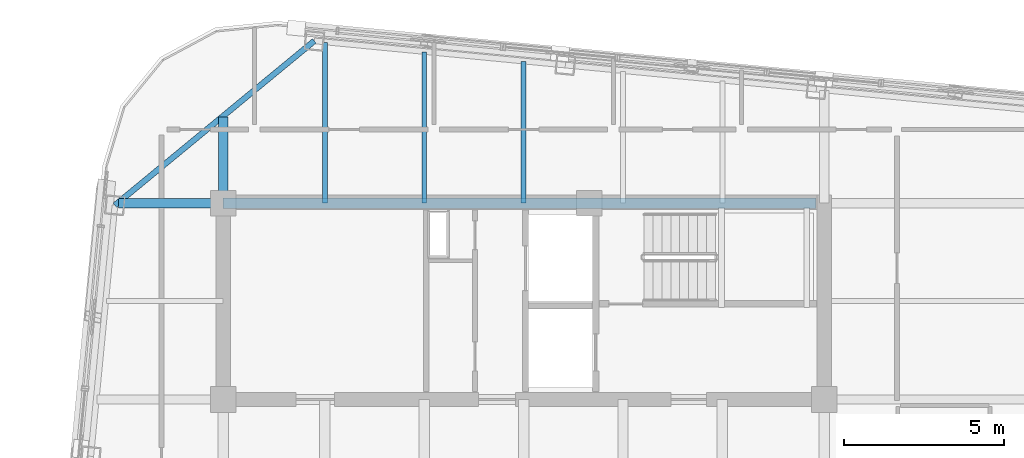
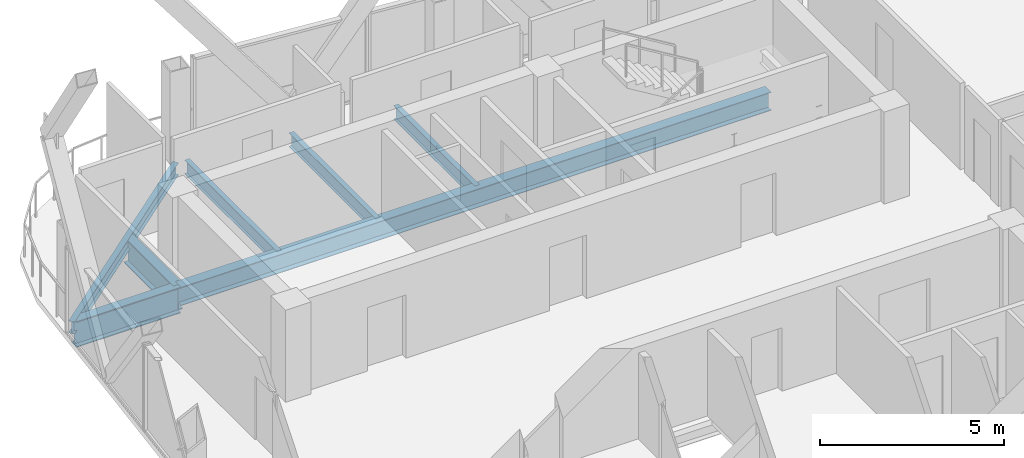
# One storey, part 15 of 25: 7 beams.
"""IFC4 building model written with IfcOpenShell, lengths in metres."""

import ifcopenshell
import ifcopenshell.guid

model = None  # the IFC model being written
_history = None  # IfcOwnerHistory: only IFC2X3 demands one
_inside = {}  # id of a spatial element -> (the spatial element, [elements in it])
_under = {}  # id of a project, library or spatial element -> (it, [spatial elements below it])
_declared = {}  # id of a project -> (the project, [libraries it declares])
_typed = {}  # id of a type object -> (the type object, [elements of that type])
_made_of = {}  # id of a material, layer set ... -> (it, [elements and type objects made of it])


def new_model(schema):
    """Start an empty IFC model of exactly this schema.

    Asked for "IFC4X3", IfcOpenShell would pick the latest addendum, in which some entities
    have other attributes; the version numbers below select the first issue.
    IFC2X3 requires an IfcOwnerHistory on every rooted entity: one is made here for all.
    """
    global model, _history
    if schema == "IFC4X3":
        model = ifcopenshell.file(schema_version=(4, 3, 0, 0))
    else:
        model = ifcopenshell.file(schema=schema)
    _inside.clear()
    _under.clear()
    _declared.clear()
    _typed.clear()
    _made_of.clear()
    _history = None
    if model.schema == "IFC2X3":
        org = make("IfcOrganization", Name="unknown")
        user = make(
            "IfcPersonAndOrganization",
            ThePerson=make("IfcPerson", FamilyName="unknown"),
            TheOrganization=org,
        )
        app = make(
            "IfcApplication",
            ApplicationDeveloper=org,
            Version="unknown",
            ApplicationFullName="unknown",
            ApplicationIdentifier="unknown",
        )
        _history = make(
            "IfcOwnerHistory",
            OwningUser=user,
            OwningApplication=app,
            ChangeAction="ADDED",
            CreationDate=0,
        )
    return model


def make(cls, **values):
    """One entity of the class cls with the attributes given. An attribute that is None is left unset."""
    return model.create_entity(
        cls, **{name: value for name, value in values.items() if value is not None}
    )


def rooted(cls, **values):
    """An entity with a GlobalId (a new one), such as an element, a storey or a relation."""
    return make(cls, GlobalId=ifcopenshell.guid.new(), OwnerHistory=_history, **values)


def si_unit(unit_type, name, prefix=None):
    """IfcSIUnit, for example si_unit("LENGTHUNIT", "METRE", prefix="MILLI")."""
    return make("IfcSIUnit", UnitType=unit_type, Prefix=prefix, Name=name)


def assignment(units):
    """IfcUnitAssignment: the units of a project."""
    return None if units is None else make("IfcUnitAssignment", Units=units)


def point(xyz):
    """IfcCartesianPoint."""
    return None if xyz is None else make("IfcCartesianPoint", Coordinates=xyz)


def direction(xyz):
    """IfcDirection."""
    return None if xyz is None else make("IfcDirection", DirectionRatios=xyz)


def frame(location, z_axis=None, x_axis=None):
    """IfcAxis2Placement3D, a coordinate frame: its origin and axes. An axis left out is left unset."""
    return make(
        "IfcAxis2Placement3D",
        Location=point(location),
        Axis=direction(z_axis),
        RefDirection=direction(x_axis),
    )


def frame_2d(location, x_axis=None):
    """IfcAxis2Placement2D, a coordinate frame in the plane: its origin and x axis."""
    return make(
        "IfcAxis2Placement2D", Location=point(location), RefDirection=direction(x_axis)
    )


def origin():
    """The frame at (0, 0, 0) with its axes left unset."""
    return frame((0.0, 0.0, 0.0))


def origin_2d():
    """The frame at (0, 0) in the plane with its x axis left unset."""
    return frame_2d((0.0, 0.0))


def place(relative_to, where):
    """IfcLocalPlacement: puts the frame where relative to a parent placement (None: the world)."""
    return make(
        "IfcLocalPlacement", PlacementRelTo=relative_to, RelativePlacement=where
    )


def context(
    kind, dimensions, precision=None, world=None, true_north=None, identifier=None
):
    """IfcGeometricRepresentationContext, for example the 3D "Model" context."""
    return make(
        "IfcGeometricRepresentationContext",
        ContextIdentifier=identifier,
        ContextType=kind,
        CoordinateSpaceDimension=dimensions,
        Precision=precision,
        WorldCoordinateSystem=world,
        TrueNorth=true_north,
    )


def subcontext(parent, identifier, kind, view, scale=None):
    """IfcGeometricRepresentationSubContext, for example "Body" below "Model"."""
    return make(
        "IfcGeometricRepresentationSubContext",
        ContextIdentifier=identifier,
        ContextType=kind,
        ParentContext=parent,
        TargetScale=scale,
        TargetView=view,
    )


def project(units=None, contexts=None):
    """IfcProject with its units and contexts."""
    return rooted(
        "IfcProject",
        Name="project",
        RepresentationContexts=contexts,
        UnitsInContext=assignment(units),
    )


def spatial(cls, under=None, at=None, **own):
    """A site, building, storey or space (cls), placed at a placement, below another one or the project."""
    s = rooted(cls, ObjectPlacement=at, **own)
    if under is not None:
        _under.setdefault(under.id(), (under, []))[1].append(s)
    return s


def profile(cls, at=None, kind="AREA", **sizes):
    """A parametric profile (cls). Its sizes go by their IFC names, for example OverallWidth=200.0."""
    return make(cls, ProfileType=kind, Position=at, **sizes)


def i_section(**sizes):
    """IfcIShapeProfileDef."""
    return profile("IfcIShapeProfileDef", **sizes)


def extrude(swept, where, along, depth):
    """IfcExtrudedAreaSolid: the profile swept, set in the frame where, extruded along a direction by depth."""
    return make(
        "IfcExtrudedAreaSolid",
        SweptArea=swept,
        Position=where,
        ExtrudedDirection=direction(along),
        Depth=depth,
    )


def shape(context_of_items, identifier, shape_type, items):
    """IfcShapeRepresentation: the items that make up one representation, for example the "Body"."""
    return make(
        "IfcShapeRepresentation",
        ContextOfItems=context_of_items,
        RepresentationIdentifier=identifier,
        RepresentationType=shape_type,
        Items=items,
    )


def material(Name=None, Category=None):
    """IfcMaterial."""
    return make("IfcMaterial", Name=Name, Category=Category)


def material_profile(
    of_material, cross_section, Name=None, Category=None, Priority=None
):
    """IfcMaterialProfile: a cross section and its material."""
    return make(
        "IfcMaterialProfile",
        Name=Name,
        Material=of_material,
        Profile=cross_section,
        Priority=Priority,
        Category=Category,
    )


def profile_set(profiles, Name=None, composite=None):
    """IfcMaterialProfileSet."""
    return make(
        "IfcMaterialProfileSet",
        Name=Name,
        MaterialProfiles=profiles,
        CompositeProfile=composite,
    )


def made_of(thing, what):
    """Note that an element or type object is made of a material, layer set ...; save() writes the relation."""
    if what is not None:
        _made_of.setdefault(what.id(), (what, []))[1].append(thing)
    return thing


def type_object(cls, material=None, **own):
    """A type object (cls), such as IfcWallType, which elements share."""
    return made_of(rooted(cls, **own), material)


def element(
    cls,
    number,
    at=None,
    inside=None,
    cuts=None,
    type_object=None,
    material=None,
    context=None,
    identifier="Body",
    shape_type=None,
    held_by="IfcProductDefinitionShape",
    body=None,
    shapes=None,
    **own,
):
    """One element of the class cls, such as IfcWall. Its Tag is "e" and its number.

    at: its placement. inside: the storey or other place that contains it. cuts: it is an
    opening in that element (IfcRelVoidsElement). A single representation is given by context,
    identifier, shape_type and body (its items); several are given by shapes. held_by: the class
    of the entity that holds the representations. save() writes the other relations.
    """
    e = rooted(cls, Tag="e%d" % number, ObjectPlacement=at, **own)
    if body is not None:
        shapes = [shape(context, identifier, shape_type, body)]
    if shapes is not None:
        e.Representation = make(held_by, Representations=shapes)
    if inside is not None:
        _inside.setdefault(inside.id(), (inside, []))[1].append(e)
    if cuts is not None:
        rooted(
            "IfcRelVoidsElement", RelatingBuildingElement=cuts, RelatedOpeningElement=e
        )
    if type_object is not None:
        _typed.setdefault(type_object.id(), (type_object, []))[1].append(e)
    return made_of(e, material)


def aggregate(whole, parts):
    """IfcRelAggregates: a whole, such as a stair, and the parts it consists of."""
    return rooted("IfcRelAggregates", RelatingObject=whole, RelatedObjects=parts)


def save(model, path):
    """Write the relations noted so far, then the file.

    IfcRelAggregates (storeys below a building ...), IfcRelContainedInSpatialStructure (elements
    in a storey), IfcRelDefinesByType, IfcRelAssociatesMaterial and IfcRelDeclares: one each for
    every whole, place, type object, material and project.
    """
    for whole, parts in _under.values():
        aggregate(whole, parts)
    for where, things in _inside.values():
        rooted(
            "IfcRelContainedInSpatialStructure",
            RelatedElements=things,
            RelatingStructure=where,
        )
    for kind, things in _typed.values():
        rooted("IfcRelDefinesByType", RelatedObjects=things, RelatingType=kind)
    for what, things in _made_of.values():
        rooted("IfcRelAssociatesMaterial", RelatedObjects=things, RelatingMaterial=what)
    for by, libraries in _declared.values():
        rooted("IfcRelDeclares", RelatingContext=by, RelatedDefinitions=libraries)
    model.write(path)


model = new_model("IFC4")

# Units and contexts
model_context = context("Model", 3, precision=1e-05, world=origin(), true_north=direction((0.0, 1.0)))
body_context = subcontext(model_context, "Body", "Model", "MODEL_VIEW")
ifc_project = project(units=[si_unit("LENGTHUNIT", "METRE"), si_unit("AREAUNIT", "SQUARE_METRE"), si_unit("VOLUMEUNIT", "CUBIC_METRE"), si_unit("PLANEANGLEUNIT", "RADIAN"), si_unit("MASSUNIT", "GRAM", prefix="KILO")], contexts=[model_context])

# Site, building, storey
site_placement = place(None, origin())
site = spatial("IfcSite", under=ifc_project, at=site_placement, CompositionType="ELEMENT")
building_placement = place(site_placement, origin())
building = spatial("IfcBuilding", under=site, at=building_placement, Name="Qhalaya Broadcast Tower", CompositionType="ELEMENT")
storey_placement = place(building_placement, frame((0.0, 0.0, 255.050048828125)))
storey = spatial("IfcBuildingStorey", under=building, at=storey_placement, Name="L75", CompositionType="ELEMENT", Elevation=255.050048828125)

# Beams
ifc_material = material(Name="Structural Steel ASTM A992 Grade 50", Category="steel")
ifc_material_profile_1 = material_profile(ifc_material, i_section(OverallWidth=0.154052734375, OverallDepth=0.458984375, WebThickness=0.009033203125, FlangeThickness=0.015380859375, at=origin_2d()), Name="W18X46")
ifc_profile_set_1 = profile_set([ifc_material_profile_1], Name="Structural Steel ASTM A992 Grade 50")
beam_type_1 = type_object("IfcBeamType", Name="Composite Floor Joist J04", PredefinedType="JOIST", material=ifc_profile_set_1)
beam_1_placement = place(storey_placement, frame((-6.199951171875, 9.949951171875, -0.41943359375), z_axis=(0.0, 1.0, 0.0), x_axis=(-1.0, 0.0, 0.0)))
element("IfcBeam", 1, at=beam_1_placement, inside=storey, type_object=beam_type_1, Name="L75 J04 L75-JNN1-1", PredefinedType="JOIST", context=body_context, shape_type="SweptSolid", body=[
    extrude(i_section(OverallWidth=0.154052734375, OverallDepth=0.458984375, WebThickness=0.009033203125, FlangeThickness=0.015380859375, at=origin_2d()), origin(), (0.0, 0.0, 1.0), 5.0087890625),
])
beam_2_placement = place(storey_placement, frame((-3.10009765625, 9.949951171875, -0.41943359375), z_axis=(0.0, 1.0, 0.0), x_axis=(-1.0, 0.0, 0.0)))
element("IfcBeam", 2, at=beam_2_placement, inside=storey, type_object=beam_type_1, Name="L75 J04 L75-JNN2-1", PredefinedType="JOIST", context=body_context, shape_type="SweptSolid", body=[
    extrude(i_section(OverallWidth=0.154052734375, OverallDepth=0.458984375, WebThickness=0.009033203125, FlangeThickness=0.015380859375, at=origin_2d()), origin(), (0.0, 0.0, 1.0), 4.710205078125),
])
beam_3_placement = place(storey_placement, frame((0.0, 9.949951171875, -0.41943359375), z_axis=(0.0, 1.0, 0.0), x_axis=(-1.0, 0.0, 0.0)))
element("IfcBeam", 3, at=beam_3_placement, inside=storey, type_object=beam_type_1, Name="L75 J04 L75-JNN3-1", PredefinedType="JOIST", context=body_context, shape_type="SweptSolid", body=[
    extrude(i_section(OverallWidth=0.154052734375, OverallDepth=0.458984375, WebThickness=0.009033203125, FlangeThickness=0.015380859375, at=origin_2d()), origin(), (0.0, 0.0, 1.0), 4.411865234375),
])
ifc_material_profile_2 = material_profile(ifc_material, i_section(OverallWidth=0.323974609375, OverallDepth=0.612060546875, WebThickness=0.0126953125, FlangeThickness=0.01904296875, at=origin_2d()), Name="W24X104")
ifc_profile_set_2 = profile_set([ifc_material_profile_2], Name="Structural Steel ASTM A992 Grade 50")
beam_type_2 = type_object("IfcBeamType", Name="Core Frame Tie Beam B04", PredefinedType="BEAM", material=ifc_profile_set_2)
beam_4_placement = place(storey_placement, frame((-9.375, 9.949951171875, -0.49609375), z_axis=(1.0, 0.0, 0.0), x_axis=(0.0, 1.0, 0.0)))
element("IfcBeam", 4, at=beam_4_placement, inside=storey, type_object=beam_type_2, Name="L75 B04 L75-CCN3", PredefinedType="BEAM", context=body_context, shape_type="SweptSolid", body=[
    extrude(i_section(OverallWidth=0.323974609375, OverallDepth=0.612060546875, WebThickness=0.0126953125, FlangeThickness=0.01904296875, at=origin_2d()), origin(), (0.0, 0.0, 1.0), 18.4951171875),
])
ifc_material_profile_3 = material_profile(ifc_material, i_section(OverallWidth=0.2919921875, OverallDepth=0.85888671875, WebThickness=0.01708984375, FlangeThickness=0.031005859375, at=origin_2d()), Name="W33X169")
ifc_profile_set_3 = profile_set([ifc_material_profile_3], Name="Structural Steel ASTM A992 Grade 50")
beam_type_3 = type_object("IfcBeamType", Name="Upper Block Primary Girder PG4", PredefinedType="USERDEFINED", material=ifc_profile_set_3)
beam_5_placement = place(storey_placement, frame((-9.375, 9.949951171875, -0.61962890625), z_axis=(0.0, 1.0, 0.0), x_axis=(-1.0, 0.0, 0.0)))
element("IfcBeam", 5, at=beam_5_placement, inside=storey, type_object=beam_type_3, Name="L75 PG4 L75-PGXN1-1", ObjectType="GIRDER", PredefinedType="USERDEFINED", context=body_context, shape_type="SweptSolid", body=[
    extrude(i_section(OverallWidth=0.2919921875, OverallDepth=0.85888671875, WebThickness=0.01708984375, FlangeThickness=0.031005859375, at=origin_2d()), origin(), (0.0, 0.0, 1.0), 2.68798828125),
])
beam_6_placement = place(storey_placement, frame((-12.6357421875, 9.949951171875, -0.61962890625), z_axis=(1.0, 0.0, 0.0), x_axis=(0.0, 1.0, 0.0)))
element("IfcBeam", 6, at=beam_6_placement, inside=storey, type_object=beam_type_3, Name="L75 PG4 L75-PGYW4-1", ObjectType="GIRDER", PredefinedType="USERDEFINED", context=body_context, shape_type="SweptSolid", body=[
    extrude(i_section(OverallWidth=0.2919921875, OverallDepth=0.85888671875, WebThickness=0.01708984375, FlangeThickness=0.031005859375, at=origin_2d()), origin(), (0.0, 0.0, 1.0), 3.2607421875),
])
ifc_material_profile_4 = material_profile(ifc_material, i_section(OverallWidth=0.177978515625, OverallDepth=0.406005859375, WebThickness=0.0078125, FlangeThickness=0.0126953125, at=origin_2d()), Name="W16X40")
ifc_profile_set_4 = profile_set([ifc_material_profile_4], Name="Structural Steel ASTM A992 Grade 50")
beam_type_4 = type_object("IfcBeamType", Name="Upper Perimeter Spandrel Beam SP2", PredefinedType="SPANDREL", material=ifc_profile_set_4)
beam_7_placement = place(storey_placement, frame((-6.5283203125, 15.010498046875, -0.39306640625), z_axis=(-0.771631160126, -0.636070241972, 0.0), x_axis=(0.636070241972, -0.771631160126, 0.0)))
element("IfcBeam", 7, at=beam_7_placement, inside=storey, type_object=beam_type_4, Name="L75 SP2 L75-SPR-12", PredefinedType="SPANDREL", context=body_context, shape_type="SweptSolid", body=[
    extrude(i_section(OverallWidth=0.177978515625, OverallDepth=0.406005859375, WebThickness=0.0078125, FlangeThickness=0.0126953125, at=origin_2d()), origin(), (0.0, 0.0, 1.0), 8.06103515625),
])

save(model, "model.ifc")
